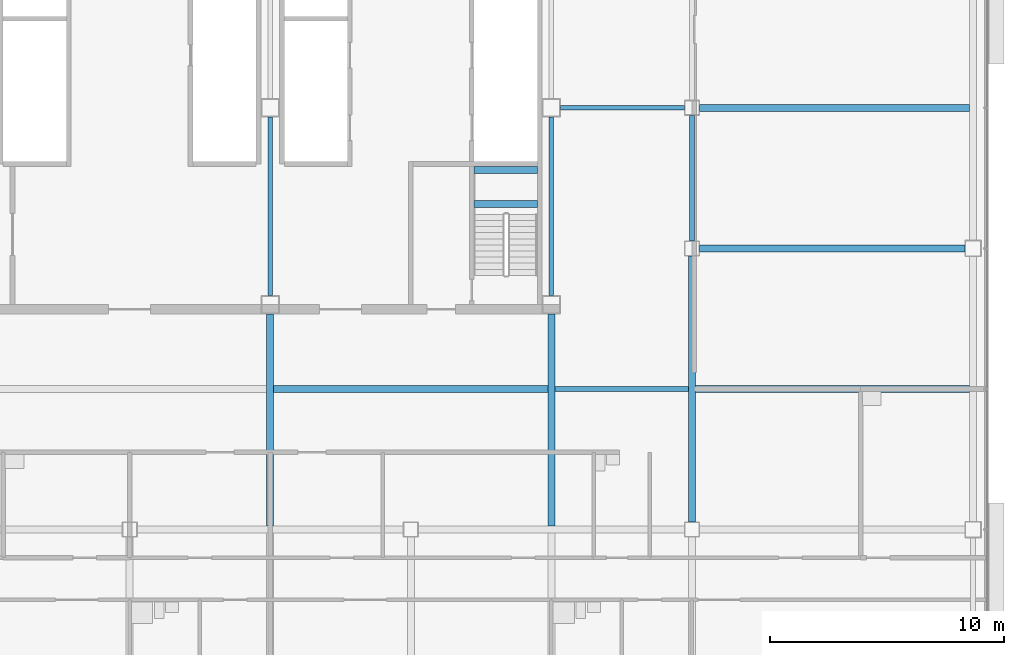
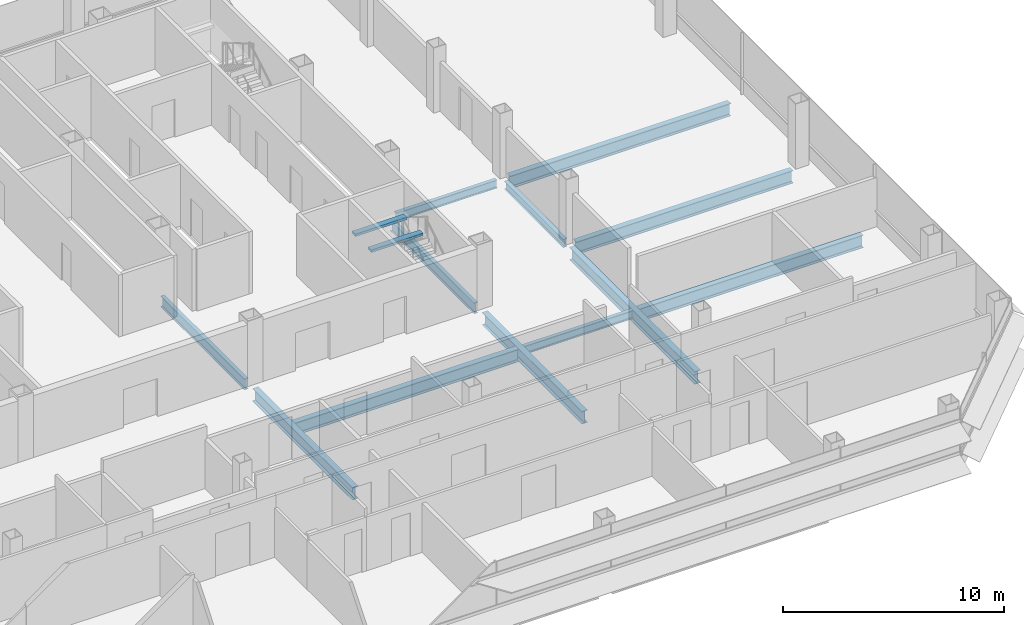
# One storey, part 10 of 24: 14 beams.
"""IFC4 building model written with IfcOpenShell, lengths in metres."""

from ifc_helpers import new_model, si_unit, direction, frame, origin, origin_2d, place, context, subcontext, project, spatial, rectangle, i_section, extrude, material, material_profile, profile_set, type_object, element, save


model = new_model("IFC4")

# Units and contexts
model_context = context("Model", 3, precision=1e-05, world=origin(), true_north=direction((0.0, 1.0)))
body_context = subcontext(model_context, "Body", "Model", "MODEL_VIEW")
ifc_project = project(units=[si_unit("LENGTHUNIT", "METRE"), si_unit("AREAUNIT", "SQUARE_METRE"), si_unit("VOLUMEUNIT", "CUBIC_METRE"), si_unit("PLANEANGLEUNIT", "RADIAN"), si_unit("MASSUNIT", "GRAM", prefix="KILO")], contexts=[model_context])

# Site, building, storey
site_placement = place(None, origin())
site = spatial("IfcSite", under=ifc_project, at=site_placement, CompositionType="ELEMENT")
building_placement = place(site_placement, origin())
building = spatial("IfcBuilding", under=site, at=building_placement, Name="Sorahane Residences", CompositionType="ELEMENT")
storey_placement = place(building_placement, frame((0.0, 0.0, 170.800048828125)))
storey = spatial("IfcBuildingStorey", under=building, at=storey_placement, Name="L39", CompositionType="ELEMENT", Elevation=170.800048828125)

# Beams
ifc_material_1 = material(Name="Concrete C40", Category="concrete")
ifc_material_profile_1 = material_profile(ifc_material_1, rectangle(XDim=0.300048828125, YDim=0.139892578125, at=origin_2d()), Name="300x140")
ifc_profile_set_1 = profile_set([ifc_material_profile_1], Name="Concrete C40")
beam_type_1 = type_object("IfcBeamType", Name="RC landing beam 300 x 140 Concrete C40", PredefinedType="BEAM", material=ifc_profile_set_1)
for number, where, z_axis, x_axis, name in (
    (1, (38.699951171875, 25.89990234375, 1.530029296875), (1.0, 0.0, 0.0), (0.0, 1.0, 0.0), "Landing beam"),
    (2, (38.699951171875, 27.35009765625, 1.530029296875), (1.0, 0.0, 0.0), (0.0, 1.0, 0.0), "Landing beam"),
):
    element("IfcBeam", number, at=place(storey_placement, frame(where, z_axis=z_axis, x_axis=x_axis)), inside=storey, type_object=beam_type_1, Name=name, PredefinedType="BEAM", context=body_context, shape_type="SweptSolid", body=[
        extrude(rectangle(XDim=0.300048828125, YDim=0.139892578125, at=origin_2d()), origin(), (0.0, 0.0, 1.0), 2.699951171875),
    ])
ifc_material_2 = material(Name="Steel Q355B", Category="steel")
ifc_material_profile_2 = material_profile(ifc_material_2, i_section(OverallWidth=0.199951171875, OverallDepth=0.449951171875, WebThickness=0.009033203125, FlangeThickness=0.013916015625, FilletRadius=0.02001953125, at=origin_2d()), Name="HN 450x200x9x14")
ifc_profile_set_2 = profile_set([ifc_material_profile_2], Name="Steel Q355B")
beam_type_2 = type_object("IfcBeamType", Name="Steel floor beam HN 450x200x9x14 Q355B", PredefinedType="BEAM", material=ifc_profile_set_2)
beam_1_placement = place(storey_placement, frame((48.0, 24.324951171875, -0.405029296875), z_axis=(0.0, 1.0, 0.0), x_axis=(-1.0, 0.0, 0.0)))
element("IfcBeam", 3, at=beam_1_placement, inside=storey, type_object=beam_type_2, Name="Beam L39 060", PredefinedType="BEAM", context=body_context, shape_type="SweptSolid", body=[
    extrude(i_section(OverallWidth=0.199951171875, OverallDepth=0.449951171875, WebThickness=0.009033203125, FlangeThickness=0.013916015625, FilletRadius=0.02001953125, at=origin_2d()), origin(), (0.0, 0.0, 1.0), 5.35009765625),
])
beam_2_placement = place(storey_placement, frame((42.14990234375, 18.0, -0.405029296875), z_axis=(1.0, 0.0, 0.0), x_axis=(0.0, 1.0, 0.0)))
element("IfcBeam", 4, at=beam_2_placement, inside=storey, type_object=beam_type_2, Name="Beam L39 083", PredefinedType="BEAM", context=body_context, shape_type="SweptSolid", body=[
    extrude(i_section(OverallWidth=0.199951171875, OverallDepth=0.449951171875, WebThickness=0.009033203125, FlangeThickness=0.013916015625, FilletRadius=0.02001953125, at=origin_2d()), origin(), (0.0, 0.0, 1.0), 5.7001953125),
])
beam_3_placement = place(storey_placement, frame((42.39990234375, 30.0, -0.405029296875), z_axis=(1.0, 0.0, 0.0), x_axis=(0.0, 1.0, 0.0)))
element("IfcBeam", 5, at=beam_3_placement, inside=storey, type_object=beam_type_2, Name="Beam L39 087", PredefinedType="BEAM", context=body_context, shape_type="SweptSolid", body=[
    extrude(i_section(OverallWidth=0.199951171875, OverallDepth=0.449951171875, WebThickness=0.009033203125, FlangeThickness=0.013916015625, FilletRadius=0.02001953125, at=origin_2d()), origin(), (0.0, 0.0, 1.0), 5.275146484375),
])
ifc_material_3 = material(Name="Steel Q355B", Category="steel")
ifc_material_profile_3 = material_profile(ifc_material_3, i_section(OverallWidth=0.199951171875, OverallDepth=0.60009765625, WebThickness=0.010986328125, FlangeThickness=0.01708984375, FilletRadius=0.02392578125, at=origin_2d()), Name="HN 600x200x11x17")
ifc_profile_set_3 = profile_set([ifc_material_profile_3], Name="Steel Q355B")
beam_type_3 = type_object("IfcBeamType", Name="Steel floor beam HN 600x200x11x17 Q355B", PredefinedType="BEAM", material=ifc_profile_set_3)
for number, where, z_axis, x_axis, name in (
    (6, (30.0, 22.0, -0.47998046875), (0.0, 1.0, 0.0), (-1.0, 0.0, 0.0), "Beam L39 046"),
    (7, (42.0, 22.0, -0.47998046875), (0.0, 1.0, 0.0), (-1.0, 0.0, 0.0), "Beam L39 054"),
):
    element("IfcBeam", number, at=place(storey_placement, frame(where, z_axis=z_axis, x_axis=x_axis)), inside=storey, type_object=beam_type_3, Name=name, PredefinedType="BEAM", context=body_context, shape_type="SweptSolid", body=[
        extrude(i_section(OverallWidth=0.199951171875, OverallDepth=0.60009765625, WebThickness=0.010986328125, FlangeThickness=0.01708984375, FilletRadius=0.02392578125, at=origin_2d()), origin(), (0.0, 0.0, 1.0), 7.60009765625),
    ])
ifc_material_4 = material(Name="Steel Q355B", Category="steel")
ifc_material_profile_4 = material_profile(ifc_material_4, i_section(OverallWidth=0.300048828125, OverallDepth=0.699951171875, WebThickness=0.012939453125, FlangeThickness=0.02392578125, FilletRadius=0.028076171875, at=origin_2d()), Name="HN 700x300x13x24")
ifc_profile_set_4 = profile_set([ifc_material_profile_4], Name="Steel Q355B")
beam_type_4 = type_object("IfcBeamType", Name="Steel floor beam HN 700x300x13x24 Q355B", PredefinedType="BEAM", material=ifc_profile_set_4)
beam_4_placement = place(storey_placement, frame((48.324951171875, 24.0, -0.530029296875), z_axis=(1.0, 0.0, 0.0), x_axis=(0.0, 1.0, 0.0)))
element("IfcBeam", 8, at=beam_4_placement, inside=storey, type_object=beam_type_4, Name="Beam L39 012", PredefinedType="BEAM", context=body_context, shape_type="SweptSolid", body=[
    extrude(i_section(OverallWidth=0.300048828125, OverallDepth=0.699951171875, WebThickness=0.012939453125, FlangeThickness=0.02392578125, FilletRadius=0.028076171875, at=origin_2d()), origin(), (0.0, 0.0, 1.0), 11.324951171875),
])
for number, where, z_axis, x_axis, name in (
    (9, (30.0, 12.14990234375, -0.530029296875), (0.0, 1.0, 0.0), (-1.0, 0.0, 0.0), "Beam L39 045"),
    (10, (42.0, 12.14990234375, -0.530029296875), (0.0, 1.0, 0.0), (-1.0, 0.0, 0.0), "Beam L39 053"),
):
    element("IfcBeam", number, at=place(storey_placement, frame(where, z_axis=z_axis, x_axis=x_axis)), inside=storey, type_object=beam_type_4, Name=name, PredefinedType="BEAM", context=body_context, shape_type="SweptSolid", body=[
        extrude(i_section(OverallWidth=0.300048828125, OverallDepth=0.699951171875, WebThickness=0.012939453125, FlangeThickness=0.02392578125, FilletRadius=0.028076171875, at=origin_2d()), origin(), (0.0, 0.0, 1.0), 9.050048828125),
    ])
beam_5_placement = place(storey_placement, frame((48.0, 12.324951171875, -0.530029296875), z_axis=(0.0, 1.0, 0.0), x_axis=(-1.0, 0.0, 0.0)))
element("IfcBeam", 11, at=beam_5_placement, inside=storey, type_object=beam_type_4, Name="Beam L39 059", PredefinedType="BEAM", context=body_context, shape_type="SweptSolid", body=[
    extrude(i_section(OverallWidth=0.300048828125, OverallDepth=0.699951171875, WebThickness=0.012939453125, FlangeThickness=0.02392578125, FilletRadius=0.028076171875, at=origin_2d()), origin(), (0.0, 0.0, 1.0), 11.35009765625),
])
for number, where, z_axis, x_axis, name in (
    (12, (30.14990234375, 18.0, -0.530029296875), (1.0, 0.0, 0.0), (0.0, 1.0, 0.0), "Beam L39 082"),
    (13, (48.14990234375, 18.0, -0.530029296875), (1.0, 0.0, 0.0), (0.0, 1.0, 0.0), "Beam L39 084"),
):
    element("IfcBeam", number, at=place(storey_placement, frame(where, z_axis=z_axis, x_axis=x_axis)), inside=storey, type_object=beam_type_4, Name=name, PredefinedType="BEAM", context=body_context, shape_type="SweptSolid", body=[
        extrude(i_section(OverallWidth=0.300048828125, OverallDepth=0.699951171875, WebThickness=0.012939453125, FlangeThickness=0.02392578125, FilletRadius=0.028076171875, at=origin_2d()), origin(), (0.0, 0.0, 1.0), 11.7001953125),
    ])
beam_6_placement = place(storey_placement, frame((48.324951171875, 30.0, -0.530029296875), z_axis=(1.0, 0.0, 0.0), x_axis=(0.0, 1.0, 0.0)))
element("IfcBeam", 14, at=beam_6_placement, inside=storey, type_object=beam_type_4, Name="Beam L39 088", PredefinedType="BEAM", context=body_context, shape_type="SweptSolid", body=[
    extrude(i_section(OverallWidth=0.300048828125, OverallDepth=0.699951171875, WebThickness=0.012939453125, FlangeThickness=0.02392578125, FilletRadius=0.028076171875, at=origin_2d()), origin(), (0.0, 0.0, 1.0), 11.525146484375),
])

save(model, "model.ifc")
